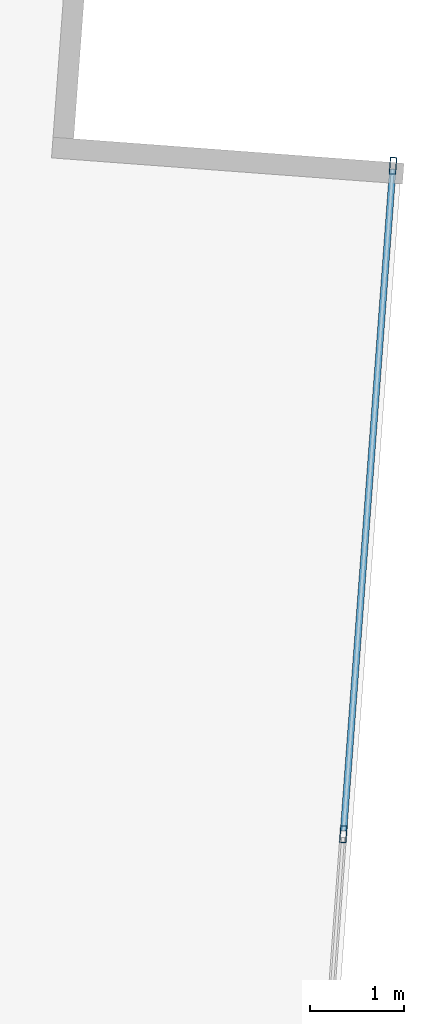
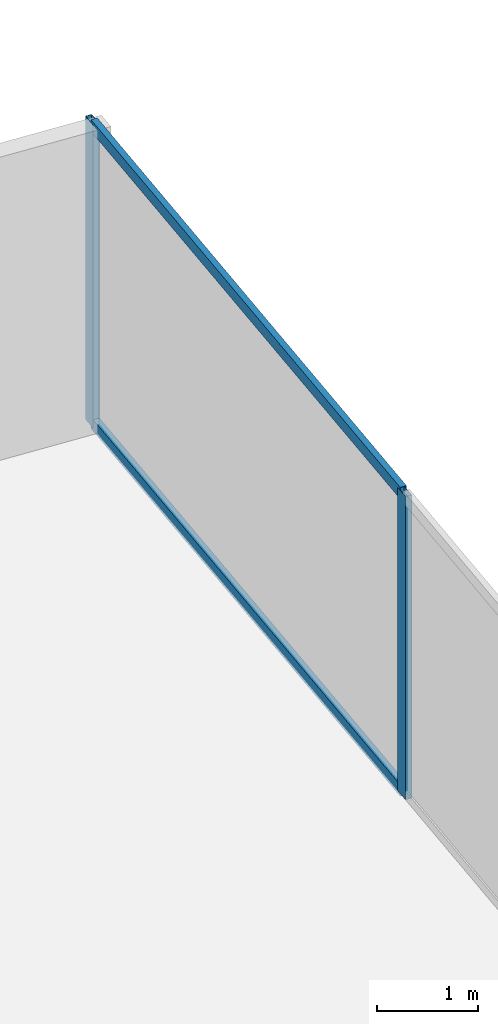
# One storey, part 22 of 30: 4 members, 1 element without a shape of its own.
"""IFC4 building model written with IfcOpenShell, lengths in metres."""

from ifc_helpers import new_model, si_unit, direction, frame, origin, origin_2d, place, context, subcontext, project, spatial, hollow_rectangle, extrude, source, transform, mapped, material, material_profile, profile_set, type_object, type_shapes, element, aggregate, save


model = new_model("IFC4")

# Units and contexts
model_context = context("Model", 3, precision=1e-05, world=origin(), true_north=direction((0.0, 1.0)))
body_context = subcontext(model_context, "Body", "Model", "MODEL_VIEW")
ifc_project = project(units=[si_unit("LENGTHUNIT", "METRE"), si_unit("AREAUNIT", "SQUARE_METRE"), si_unit("VOLUMEUNIT", "CUBIC_METRE"), si_unit("PLANEANGLEUNIT", "RADIAN"), si_unit("MASSUNIT", "GRAM", prefix="KILO")], contexts=[model_context])

# Site, building, storey
site_placement = place(None, origin())
site = spatial("IfcSite", under=ifc_project, at=site_placement, CompositionType="ELEMENT")
building_placement = place(site_placement, origin())
building = spatial("IfcBuilding", under=site, at=building_placement, Name="Krantzveldt Concourse Tower", CompositionType="ELEMENT")
storey_placement = place(building_placement, frame((0.0, 0.0, 48.699951171875)))
storey = spatial("IfcBuildingStorey", under=building, at=storey_placement, Name="L11", CompositionType="ELEMENT", Elevation=48.699951171875)

# Curtain wall, members
ifc_material = material(Name="Anodised aluminium 6063-T6", Category="aluminium")
curtain_wall_type = type_object("IfcCurtainWallType", Name="CW2", PredefinedType="USERDEFINED", material=ifc_material)
curtain_wall_placement = place(storey_placement, origin())
curtain_wall = element("IfcCurtainWall", 1, at=curtain_wall_placement, inside=storey, type_object=curtain_wall_type, Name="CW-L11-F07", ObjectType="UNITISED CURTAIN WALL", PredefinedType="USERDEFINED")
ifc_material_profile_1 = material_profile(ifc_material, hollow_rectangle(XDim=0.070068359375, YDim=0.139892578125, WallThickness=0.0048828125, at=origin_2d()), Name="Anodised aluminium 6063-T6", Category="aluminium")
ifc_profile_set_1 = profile_set([ifc_material_profile_1], Name="Anodised aluminium 6063-T6 - ALU-TRAN 140x70x5")
member_type_1 = type_object("IfcMemberType", Name="CW-TRN-150", PredefinedType="USERDEFINED", material=ifc_profile_set_1)
shared_shape_1 = source(origin(), body_context, "Body", "SweptSolid", [
    extrude(hollow_rectangle(XDim=0.070068359375, YDim=0.139892578125, WallThickness=0.0048828125, at=origin_2d()), origin(), (0.0, 0.0, 1.0), 7.061767578125),
])
type_shapes(member_type_1, [shared_shape_1])
member_1_placement = place(storey_placement, frame((61.90625, 39.182861328125, 0.03515625), z_axis=(0.074123832627, 0.997249044841, 0.0), x_axis=(-0.997249044841, 0.074123832627, 0.0)))
member_1 = element("IfcMember", 2, at=member_1_placement, type_object=member_type_1, Name="CW-Z12 transom 6.1", ObjectType="TRANSOM", PredefinedType="USERDEFINED", context=body_context, shape_type="MappedRepresentation", body=[
    mapped(shared_shape_1, transform((0.0, 0.0, 0.0), x_axis=(1.0, 0.0, 0.0), y_axis=(0.0, 1.0, 0.0), z_axis=(0.0, 0.0, 1.0), scale=1.0)),
])
member_2_placement = place(storey_placement, frame((61.90625, 39.182861328125, 3.635009765625), z_axis=(0.074123832627, 0.997249044841, 0.0), x_axis=(-0.997249044841, 0.074123832627, 0.0)))
member_2 = element("IfcMember", 3, at=member_2_placement, type_object=member_type_1, Name="CW-Z12 transom 6.2", ObjectType="TRANSOM", PredefinedType="USERDEFINED", context=body_context, shape_type="MappedRepresentation", body=[
    mapped(shared_shape_1, transform((0.0, 0.0, 0.0), x_axis=(1.0, 0.0, 0.0), y_axis=(0.0, 1.0, 0.0), z_axis=(0.0, 0.0, 1.0), scale=1.0)),
])
ifc_material_profile_2 = material_profile(ifc_material, hollow_rectangle(XDim=0.070068359375, YDim=0.179931640625, WallThickness=0.0048828125, at=origin_2d()), Name="Anodised aluminium 6063-T6", Category="aluminium")
ifc_profile_set_2 = profile_set([ifc_material_profile_2], Name="Anodised aluminium 6063-T6 - ALU-MULL 180x70x5")
member_type_2 = type_object("IfcMemberType", Name="CW-MUL-180", PredefinedType="MULLION", material=ifc_profile_set_2)
shared_shape_2 = source(origin(), body_context, "Body", "SweptSolid", [
    extrude(hollow_rectangle(XDim=0.070068359375, YDim=0.179931640625, WallThickness=0.0048828125, at=origin_2d()), origin(), (0.0, 0.0, 1.0), 3.670166015625),
])
type_shapes(member_type_2, [shared_shape_2])
member_3_placement = place(storey_placement, frame((61.90380859375, 39.14794921875, 0.0), z_axis=(0.0, 0.0, 1.0), x_axis=(-0.997250176902, 0.07410860051, 0.0)))
member_3 = element("IfcMember", 4, at=member_3_placement, type_object=member_type_2, Name="CW-Z12 mullion 6", PredefinedType="MULLION", context=body_context, shape_type="MappedRepresentation", body=[
    mapped(shared_shape_2, transform((0.0, 0.0, 0.0), x_axis=(1.0, 0.0, 0.0), y_axis=(0.0, 1.0, 0.0), z_axis=(0.0, 0.0, 1.0), scale=1.0)),
])
member_4_placement = place(storey_placement, frame((62.43212890625, 46.260009765625, 0.0), z_axis=(0.0, 0.0, 1.0), x_axis=(-0.997250176902, 0.07410860051, 0.0)))
member_4 = element("IfcMember", 5, at=member_4_placement, type_object=member_type_2, Name="CW-Z12 mullion 7", PredefinedType="MULLION", context=body_context, shape_type="MappedRepresentation", body=[
    mapped(shared_shape_2, transform((0.0, 0.0, 0.0), x_axis=(1.0, 0.0, 0.0), y_axis=(0.0, 1.0, 0.0), z_axis=(0.0, 0.0, 1.0), scale=1.0)),
])
aggregate(curtain_wall, [member_3, member_4, member_1, member_2])

save(model, "model.ifc")
